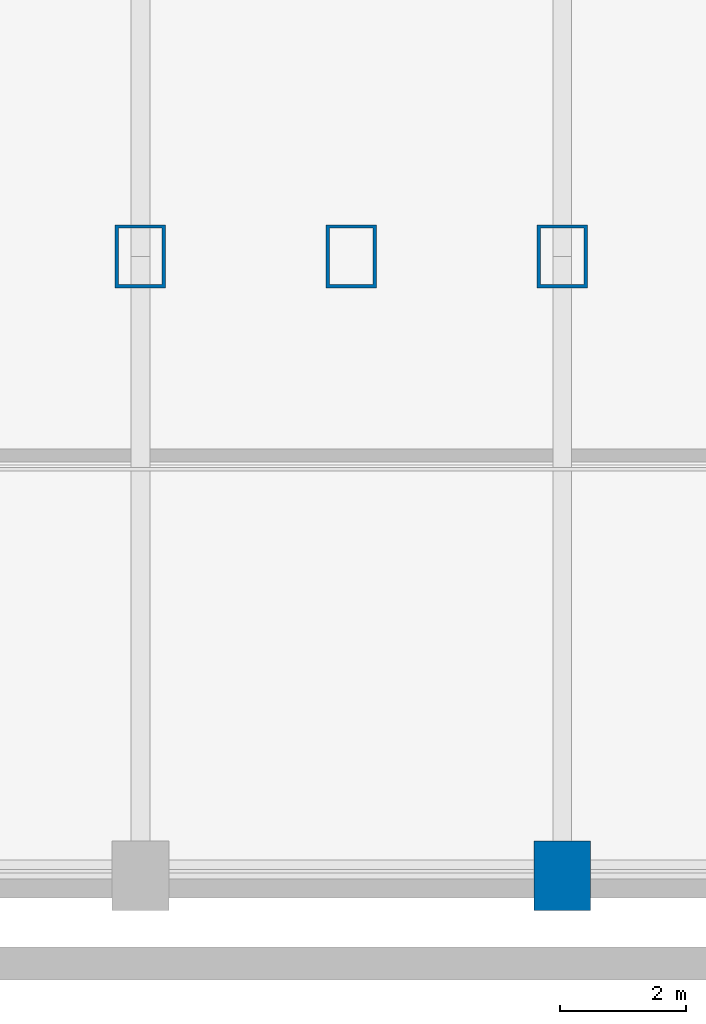
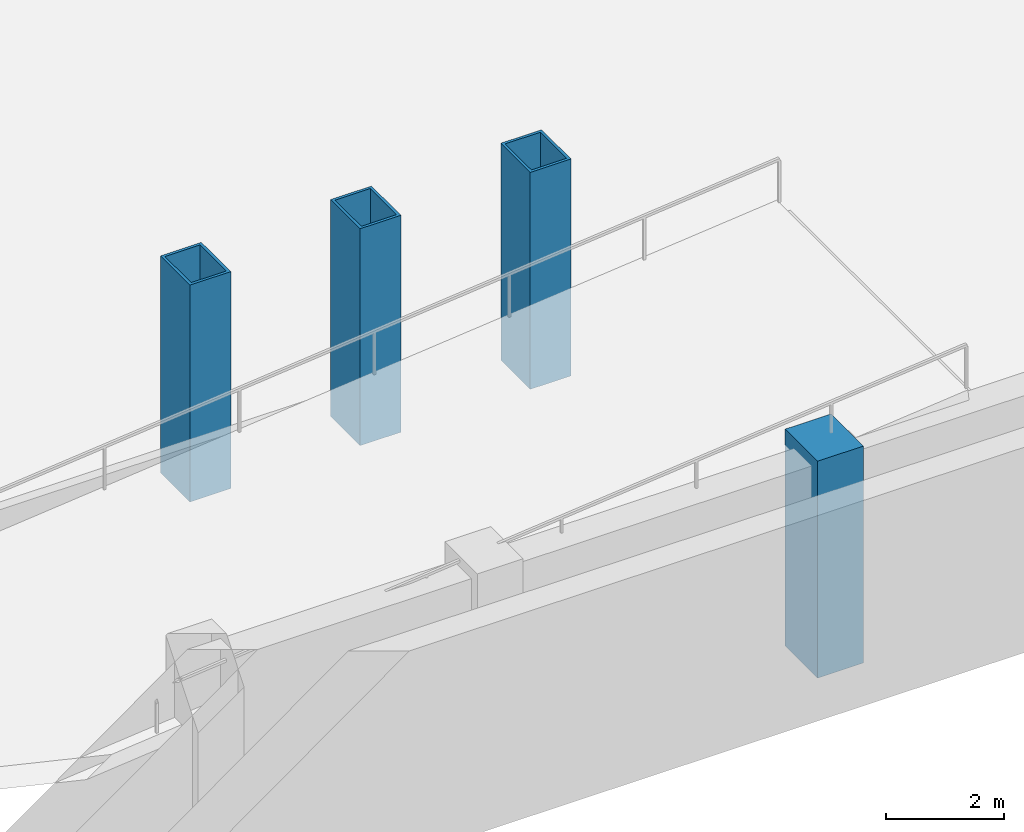
# One storey, part 2 of 10: 4 columns.
"""IFC4 building model written with IfcOpenShell, lengths in metres."""

from ifc_helpers import new_model, si_unit, direction, frame, origin, origin_2d, place, context, subcontext, project, spatial, rectangle, hollow_rectangle, extrude, material, material_profile, profile_set, type_object, element, save


model = new_model("IFC4")

# Units and contexts
model_context = context("Model", 3, precision=1e-05, world=origin(), true_north=direction((0.0, 1.0)))
body_context = subcontext(model_context, "Body", "Model", "MODEL_VIEW")
ifc_project = project(units=[si_unit("LENGTHUNIT", "METRE"), si_unit("AREAUNIT", "SQUARE_METRE"), si_unit("VOLUMEUNIT", "CUBIC_METRE"), si_unit("PLANEANGLEUNIT", "RADIAN"), si_unit("MASSUNIT", "GRAM", prefix="KILO")], contexts=[model_context])

# Site, building, storey
site_placement = place(None, origin())
site = spatial("IfcSite", under=ifc_project, at=site_placement, CompositionType="ELEMENT")
building_placement = place(site_placement, origin())
building = spatial("IfcBuilding", under=site, at=building_placement, Name="Khoronbel Lancet Exchange", CompositionType="ELEMENT")
storey_placement = place(building_placement, frame((0.0, 0.0, -4.5)))
storey = spatial("IfcBuildingStorey", under=building, at=storey_placement, Name="B1", CompositionType="ELEMENT", Elevation=-4.5)

# Columns
ifc_material_1 = material(Name="Steel S460", Category="steel")
ifc_material_profile_1 = material_profile(ifc_material_1, hollow_rectangle(XDim=0.800048828125, YDim=1.0, WallThickness=0.054931640625, at=origin_2d()), Name="BOX 1000x800x55")
ifc_profile_set_1 = profile_set([ifc_material_profile_1], Name="Steel S460")
column_type_1 = type_object("IfcColumnType", Name="COL-EC1", PredefinedType="COLUMN", material=ifc_profile_set_1)
for number, where, z_axis, x_axis, name in (
    (1, (48.0, 10.14990234375, 0.0), (0.0, 0.0, 1.0), (1.0, 0.0, 0.0), "Structural column SC-E1 B1"),
    (2, (51.33740234375, 10.14990234375, 0.0), (0.0, 0.0, 1.0), (1.0, 0.0, 0.0), "Structural column SC-EM B1"),
    (3, (54.675048828125, 10.14990234375, 0.0), (0.0, 0.0, 1.0), (1.0, 0.0, 0.0), "Structural column SC-E2 B1"),
):
    element("IfcColumn", number, at=place(storey_placement, frame(where, z_axis=z_axis, x_axis=x_axis)), inside=storey, type_object=column_type_1, Name=name, PredefinedType="COLUMN", context=body_context, shape_type="SweptSolid", body=[
        extrude(hollow_rectangle(XDim=0.800048828125, YDim=1.0, WallThickness=0.054931640625, at=origin_2d()), origin(), (0.0, 0.0, 1.0), 4.5),
    ])
ifc_material_2 = material(Name="Concrete C60/75", Category="concrete")
ifc_material_profile_2 = material_profile(ifc_material_2, rectangle(XDim=0.89990234375, YDim=1.10009765625, at=origin_2d()), Name="RC 900x1100")
ifc_profile_set_2 = profile_set([ifc_material_profile_2], Name="Concrete C60/75")
column_type_2 = type_object("IfcColumnType", Name="COL-PIL1", PredefinedType="PILASTER", material=ifc_profile_set_2)
column_placement = place(storey_placement, frame((54.675048828125, 0.35009765625, 0.0), z_axis=(0.0, 0.0, 1.0), x_axis=(1.0, 0.0, 0.0)))
element("IfcColumn", 4, at=column_placement, inside=storey, type_object=column_type_2, Name="Substructure south perimeter column SB6 B1", PredefinedType="PILASTER", context=body_context, shape_type="SweptSolid", body=[
    extrude(rectangle(XDim=0.89990234375, YDim=1.10009765625, at=origin_2d()), origin(), (0.0, 0.0, 1.0), 4.5),
])

save(model, "model.ifc")
